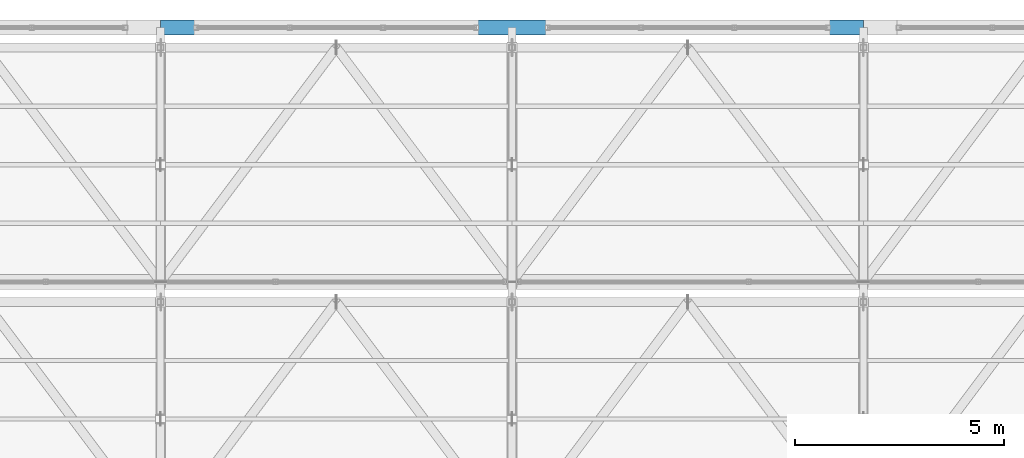
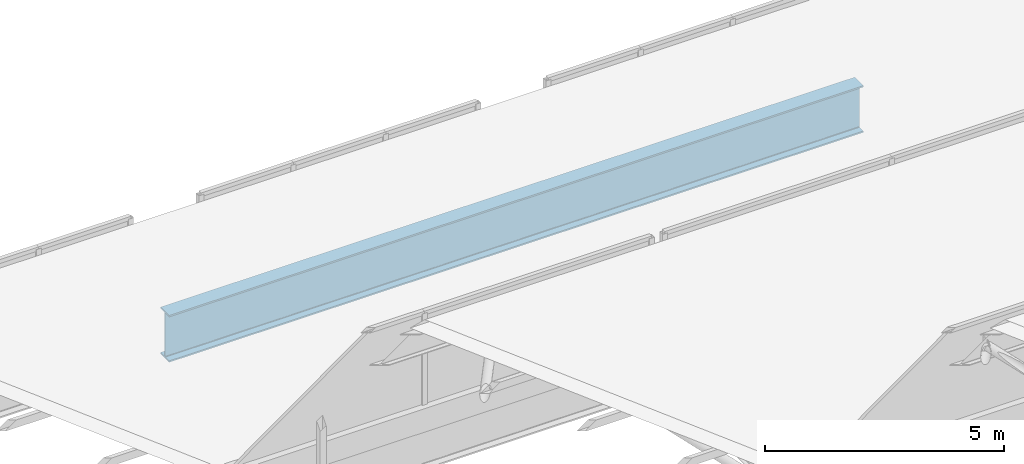
# One storey, part 115 of 217: 1 beam.
"""IFC4 building model written with IfcOpenShell, lengths in metres."""

from ifc_helpers import new_model, si_unit, direction, frame, origin, origin_2d, place, context, subcontext, project, spatial, i_section, extrude, material, material_profile, profile_set, type_object, element, save


model = new_model("IFC4")

# Units and contexts
model_context = context("Model", 3, precision=1e-05, world=origin(), true_north=direction((0.0, 1.0)))
body_context = subcontext(model_context, "Body", "Model", "MODEL_VIEW")
ifc_project = project(units=[si_unit("LENGTHUNIT", "METRE"), si_unit("AREAUNIT", "SQUARE_METRE"), si_unit("VOLUMEUNIT", "CUBIC_METRE"), si_unit("PLANEANGLEUNIT", "RADIAN"), si_unit("MASSUNIT", "GRAM", prefix="KILO")], contexts=[model_context])

# Site, building, storey
site_placement = place(None, origin())
site = spatial("IfcSite", under=ifc_project, at=site_placement, CompositionType="ELEMENT")
building_placement = place(site_placement, origin())
building = spatial("IfcBuilding", under=site, at=building_placement, Name="Zuvorla Pavilion Media Centre", CompositionType="ELEMENT")
storey_placement = place(building_placement, frame((0.0, 0.0, 9.60009765625)))
storey = spatial("IfcBuildingStorey", under=building, at=storey_placement, Name="L02", CompositionType="ELEMENT", Elevation=9.60009765625)

# Beam
ifc_material = material(Name="Steel S355", Category="steel")
ifc_material_profile = material_profile(ifc_material, i_section(OverallWidth=0.360107421875, OverallDepth=1.199951171875, WebThickness=0.02001953125, FlangeThickness=0.0380859375, FilletRadius=0.02392578125, at=origin_2d()), Name="PG 1200x360x38")
ifc_profile_set = profile_set([ifc_material_profile], Name="Steel S355")
beam_type = type_object("IfcBeamType", Name="BM-PG1200", PredefinedType="BEAM", material=ifc_profile_set)
beam_placement = place(storey_placement, frame((75.199951171875, 120.0, -0.88818359375), z_axis=(1.0, 0.0, 0.0), x_axis=(0.0, 1.0, 0.0)))
element("IfcBeam", 1, at=beam_placement, inside=storey, type_object=beam_type, Name="L02 beam B01 1809", PredefinedType="BEAM", context=body_context, shape_type="SweptSolid", body=[
    extrude(i_section(OverallWidth=0.360107421875, OverallDepth=1.199951171875, WebThickness=0.02001953125, FlangeThickness=0.0380859375, FilletRadius=0.02392578125, at=origin_2d()), origin(), (0.0, 0.0, 1.0), 16.800048828125),
])

save(model, "model.ifc")
